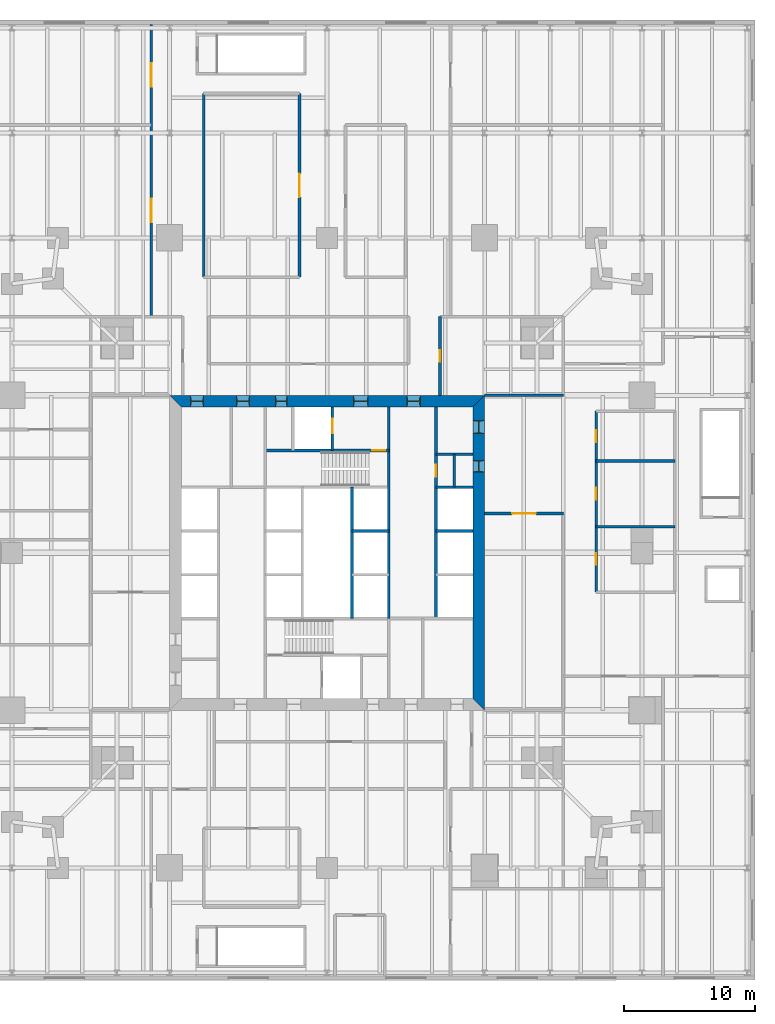
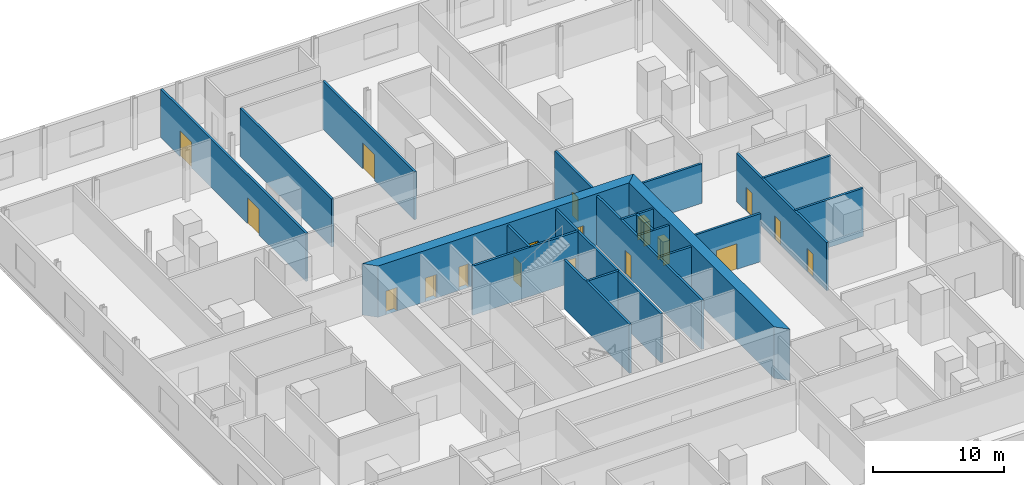
# One storey, part 12 of 15: 21 walls, 18 doors, 18 openings.
"""IFC4 building model written with IfcOpenShell, lengths in metres."""

from ifc_helpers import new_model, si_unit, direction, frame, frame_2d, origin, place, context, subcontext, project, spatial, polyline, rectangle, outline, extrude, material, layer, layer_set, type_object, element, fill, save


model = new_model("IFC4")

# Units and contexts
model_context = context("Model", 3, precision=1e-05, world=origin(), true_north=direction((0.0, 1.0)))
body_context = subcontext(model_context, "Body", "Model", "MODEL_VIEW")
ifc_project = project(units=[si_unit("LENGTHUNIT", "METRE"), si_unit("AREAUNIT", "SQUARE_METRE"), si_unit("VOLUMEUNIT", "CUBIC_METRE"), si_unit("PLANEANGLEUNIT", "RADIAN"), si_unit("MASSUNIT", "GRAM", prefix="KILO")], contexts=[model_context])

# Site, building, storey
site_placement = place(None, origin())
site = spatial("IfcSite", under=ifc_project, at=site_placement, CompositionType="ELEMENT")
building_placement = place(site_placement, origin())
building = spatial("IfcBuilding", under=site, at=building_placement, Name="Fenwick Lantern Interchange", CompositionType="ELEMENT")
storey_placement = place(building_placement, frame((0.0, 0.0, 26.199951171875)))
storey = spatial("IfcBuildingStorey", under=building, at=storey_placement, Name="L05", CompositionType="ELEMENT", Elevation=26.199951171875)

# Wall, opening, door
ifc_material_1 = material(Name="Concrete masonry ASTM C90 Grade N", Category="masonry")
ifc_layer_1 = layer(ifc_material_1, 0.199951171875)
ifc_layer_set_1 = layer_set([ifc_layer_1], Name="Concrete masonry ASTM C90 Grade N")
wall_type_1 = type_object("IfcWallType", Name="CORE PARTITION 200", PredefinedType="PARTITIONING", material=ifc_layer_set_1)
wall_1_placement = place(storey_placement, frame((33.300048828125, 36.10009765625, 0.0), z_axis=(0.0, 0.0, 1.0), x_axis=(0.0, -1.0, 0.0)))
wall_1 = element("IfcWall", 1, at=wall_1_placement, inside=storey, type_object=wall_type_1, Name="L05/W/COREN/a", PredefinedType="PARTITIONING", context=body_context, shape_type="SweptSolid", body=[
    extrude(rectangle(XDim=16.10009765625, YDim=0.199951171875, at=frame_2d((8.050048828125, 0.0))), origin(), (0.0, 0.0, 1.0), 4.60009765625),
])
opening_1_placement = place(wall_1_placement, frame((4.39990234375, 0.0, 0.0)))
opening_1 = element("IfcOpeningElement", 2, at=opening_1_placement, cuts=wall_1, Name="Opening L05-D016", PredefinedType="OPENING", context=body_context, shape_type="SweptSolid", body=[
    extrude(rectangle(XDim=0.89990234375, YDim=2.199951171875, at=frame_2d((0.449951171875, 1.10009765625))), frame((0.0, 0.10986328125, 0.0), z_axis=(0.0, -1.0, 0.0), x_axis=(1.0, 0.0, 0.0)), (0.0, 0.0, 1.0), 0.219970703125),
])
ifc_material_2 = material(Name="Steel door and frame", Category="steel")
door_type_1 = type_object("IfcDoorType", Name="SERVICE DOOR 900 X 2200", OperationType="SINGLE_SWING_LEFT", PredefinedType="DOOR", material=ifc_material_2)
door_1_placement = place(opening_1_placement, origin())
door_1 = element("IfcDoor", 3, at=door_1_placement, inside=storey, type_object=door_type_1, Name="Service door", OperationType="SINGLE_SWING_LEFT", OverallHeight=2.199951171875, OverallWidth=0.89990234375, PredefinedType="DOOR", context=body_context, shape_type="SweptSolid", body=[
    extrude(rectangle(XDim=0.89990234375, YDim=2.199951171875, at=frame_2d((0.449951171875, 1.10009765625))), frame((0.0, 0.02490234375, 0.0), z_axis=(0.0, -1.0, 0.0), x_axis=(1.0, 0.0, 0.0)), (0.0, 0.0, 1.0), 0.050048828125),
])
fill(opening_1, door_1)

# Walls
for number, where, z_axis, x_axis, name in (
    (4, (36.10009765625, 30.0, 0.0), (0.0, 0.0, 1.0), (-1.0, 0.0, 0.0), "L05/W/COREN/c2"),
    (5, (36.10009765625, 26.666748046875, 0.0), (0.0, 0.0, 1.0), (-1.0, 0.0, 0.0), "L05/W/COREN/d1"),
    (6, (29.699951171875, 26.666748046875, 0.0), (0.0, 0.0, 1.0), (-1.0, 0.0, 0.0), "L05/W/COREN/e1"),
):
    element("IfcWall", number, at=place(storey_placement, frame(where, z_axis=z_axis, x_axis=x_axis)), inside=storey, type_object=wall_type_1, Name=name, PredefinedType="PARTITIONING", context=body_context, shape_type="SweptSolid", body=[
        extrude(rectangle(XDim=2.800048828125, YDim=0.199951171875, at=frame_2d((1.39990234375, 0.0))), origin(), (0.0, 0.0, 1.0), 4.60009765625),
    ])
wall_2_placement = place(storey_placement, frame((26.89990234375, 30.0, 0.0), z_axis=(0.0, 0.0, 1.0), x_axis=(0.0, -1.0, 0.0)))
element("IfcWall", 7, at=wall_2_placement, inside=storey, type_object=wall_type_1, Name="L05/W/COREN/e3", PredefinedType="PARTITIONING", context=body_context, shape_type="SweptSolid", body=[
    extrude(rectangle(XDim=10.0, YDim=0.199951171875, at=frame_2d((5.0, 0.0))), origin(), (0.0, 0.0, 1.0), 4.60009765625),
])

# Wall, opening, door
wall_3_placement = place(storey_placement, frame((25.39990234375, 36.10009765625, 0.0), z_axis=(0.0, 0.0, 1.0), x_axis=(0.0, -1.0, 0.0)))
wall_3 = element("IfcWall", 8, at=wall_3_placement, inside=storey, type_object=wall_type_1, Name="L05/W/COREN/h1", PredefinedType="PARTITIONING", context=body_context, shape_type="SweptSolid", body=[
    extrude(rectangle(XDim=3.300048828125, YDim=0.199951171875, at=frame_2d((1.64990234375, 0.0))), origin(), (0.0, 0.0, 1.0), 4.60009765625),
])
opening_2_placement = place(wall_3_placement, frame((0.89990234375, 0.0, 0.0)))
opening_2 = element("IfcOpeningElement", 9, at=opening_2_placement, cuts=wall_3, Name="Opening LD-FL2", PredefinedType="OPENING", context=body_context, shape_type="SweptSolid", body=[
    extrude(rectangle(XDim=1.10009765625, YDim=2.199951171875, at=frame_2d((0.550048828125, 1.10009765625))), frame((0.0, 0.10986328125, 0.0), z_axis=(0.0, -1.0, 0.0), x_axis=(1.0, 0.0, 0.0)), (0.0, 0.0, 1.0), 0.219970703125),
])
door_type_2 = type_object("IfcDoorType", Name="LIFT LANDING DOOR 1100 X 2200", OperationType="DOUBLE_DOOR_SLIDING", PredefinedType="DOOR", material=ifc_material_2)
door_2_placement = place(opening_2_placement, origin())
door_2 = element("IfcDoor", 10, at=door_2_placement, inside=storey, type_object=door_type_2, Name="Lift landing door FL2", OperationType="DOUBLE_DOOR_SLIDING", OverallHeight=2.199951171875, OverallWidth=1.10009765625, PredefinedType="DOOR", context=body_context, shape_type="SweptSolid", body=[
    extrude(rectangle(XDim=1.10009765625, YDim=2.199951171875, at=frame_2d((0.550048828125, 1.10009765625))), frame((0.0, 0.02490234375, 0.0), z_axis=(0.0, -1.0, 0.0), x_axis=(1.0, 0.0, 0.0)), (0.0, 0.0, 1.0), 0.050048828125),
])
fill(opening_2, door_2)

# Walls
wall_4_placement = place(storey_placement, frame((36.10009765625, 32.5, 0.0), z_axis=(0.0, 0.0, 1.0), x_axis=(-1.0, 0.0, 0.0)))
element("IfcWall", 11, at=wall_4_placement, inside=storey, type_object=wall_type_1, Name="L05/W/COREN/p1", PredefinedType="PARTITIONING", context=body_context, shape_type="SweptSolid", body=[
    extrude(rectangle(XDim=2.800048828125, YDim=0.199951171875, at=frame_2d((1.39990234375, 0.0))), origin(), (0.0, 0.0, 1.0), 4.60009765625),
])
wall_5_placement = place(storey_placement, frame((34.699951171875, 32.5, 0.0), z_axis=(0.0, 0.0, 1.0), x_axis=(0.0, -1.0, 0.0)))
element("IfcWall", 12, at=wall_5_placement, inside=storey, type_object=wall_type_1, Name="L05/W/COREN/px", PredefinedType="PARTITIONING", context=body_context, shape_type="SweptSolid", body=[
    extrude(rectangle(XDim=2.5, YDim=0.199951171875, at=frame_2d((1.25, 0.0))), origin(), (0.0, 0.0, 1.0), 4.60009765625),
])

# Wall, openings, doors
ifc_material_3 = material(Name="Concrete f'c 70 MPa", Category="concrete")
ifc_layer_2 = layer(ifc_material_3, 0.89990234375)
ifc_layer_set_2 = layer_set([ifc_layer_2], Name="CORE WALL 900")
wall_type_2 = type_object("IfcWallType", Name="CORE WALL 900", PredefinedType="SHEAR", material=ifc_layer_set_2)
wall_6_placement = place(storey_placement, frame((36.550048828125, 13.89990234375, 0.0), z_axis=(0.0, 0.0, 1.0), x_axis=(0.0, 1.0, 0.0)))
wall_6 = element("IfcWall", 13, at=wall_6_placement, inside=storey, type_object=wall_type_2, Name="L05/CORE/E", PredefinedType="SHEAR", context=body_context, shape_type="SweptSolid", body=[
    extrude(outline(polyline([(-0.89990234375, -0.449951171875), (23.10009765625, -0.449951171875), (22.199951171875, 0.449951171875), (0.0, 0.449951171875), (-0.89990234375, -0.449951171875)])), origin(), (0.0, 0.0, 1.0), 4.800048828125),
])
opening_3_placement = place(wall_6_placement, frame((20.199951171875, 0.0, 0.0)))
opening_3 = element("IfcOpeningElement", 14, at=opening_3_placement, cuts=wall_6, Name="Opening L05-D015", PredefinedType="OPENING", context=body_context, shape_type="SweptSolid", body=[
    extrude(rectangle(XDim=1.0, YDim=2.199951171875, at=frame_2d((0.5, 1.10009765625))), frame((0.0, 0.4599609375, 0.0), z_axis=(0.0, -1.0, 0.0), x_axis=(1.0, 0.0, 0.0)), (0.0, 0.0, 1.0), 0.919921875),
])
opening_4_placement = place(wall_6_placement, frame((17.25, 0.0, 0.0)))
opening_4 = element("IfcOpeningElement", 15, at=opening_4_placement, cuts=wall_6, Name="Opening L05-D017", PredefinedType="OPENING", context=body_context, shape_type="SweptSolid", body=[
    extrude(rectangle(XDim=0.89990234375, YDim=2.199951171875, at=frame_2d((0.449951171875, 1.10009765625))), frame((0.0, 0.4599609375, 0.0), z_axis=(0.0, -1.0, 0.0), x_axis=(1.0, 0.0, 0.0)), (0.0, 0.0, 1.0), 0.919921875),
])
door_3_placement = place(opening_4_placement, origin())
door_3 = element("IfcDoor", 16, at=door_3_placement, inside=storey, type_object=door_type_1, Name="Service door", OperationType="SINGLE_SWING_RIGHT", OverallHeight=2.199951171875, OverallWidth=0.89990234375, PredefinedType="DOOR", context=body_context, shape_type="SweptSolid", body=[
    extrude(rectangle(XDim=0.89990234375, YDim=2.199951171875, at=frame_2d((0.449951171875, 1.10009765625))), frame((0.0, 0.02490234375, 0.0), z_axis=(0.0, -1.0, 0.0), x_axis=(1.0, 0.0, 0.0)), (0.0, 0.0, 1.0), 0.050048828125),
    extrude(outline(polyline([(0.0, 0.0), (0.0400390625, 0.0), (0.0400390625, 2.159912109375), (0.85986328125, 2.159912109375), (0.85986328125, 0.0), (0.89990234375, 0.0), (0.89990234375, 2.199951171875), (0.0, 2.199951171875), (0.0, 0.0)])), frame((0.0, 0.300048828125, 0.0), z_axis=(0.0, -1.0, 0.0), x_axis=(1.0, 0.0, 0.0)), (0.0, 0.0, 1.0), 0.60009765625),
])
fill(opening_4, door_3)
ifc_material_4 = material(Name="Hardwood door and steel frame", Category="steel")
door_type_3 = type_object("IfcDoorType", Name="WC DOOR 1000 X 2200", OperationType="SINGLE_SWING_LEFT", PredefinedType="DOOR", material=ifc_material_4)
door_4_placement = place(opening_3_placement, origin())
door_4 = element("IfcDoor", 17, at=door_4_placement, inside=storey, type_object=door_type_3, Name="Wc door", OperationType="SINGLE_SWING_RIGHT", OverallHeight=2.199951171875, OverallWidth=1.0, PredefinedType="DOOR", context=body_context, shape_type="SweptSolid", body=[
    extrude(rectangle(XDim=1.0, YDim=2.199951171875, at=frame_2d((0.5, 1.10009765625))), frame((0.0, 0.02490234375, 0.0), z_axis=(0.0, -1.0, 0.0), x_axis=(1.0, 0.0, 0.0)), (0.0, 0.0, 1.0), 0.050048828125),
    extrude(outline(polyline([(0.0, 0.0), (0.0400390625, 0.0), (0.0400390625, 2.159912109375), (0.9599609375, 2.159912109375), (0.9599609375, 0.0), (1.0, 0.0), (1.0, 2.199951171875), (0.0, 2.199951171875), (0.0, 0.0)])), frame((0.0, 0.300048828125, 0.0), z_axis=(0.0, -1.0, 0.0), x_axis=(1.0, 0.0, 0.0)), (0.0, 0.0, 1.0), 0.60009765625),
])
fill(opening_3, door_4)

wall_7_placement = place(storey_placement, frame((37.0, 36.550048828125, 0.0), z_axis=(0.0, 0.0, 1.0), x_axis=(-1.0, 0.0, 0.0)))
wall_7 = element("IfcWall", 18, at=wall_7_placement, inside=storey, type_object=wall_type_2, Name="L05/CORE/N", PredefinedType="SHEAR", context=body_context, shape_type="SweptSolid", body=[
    extrude(outline(polyline([(0.0, -0.449951171875), (24.0, -0.449951171875), (23.10009765625, 0.449951171875), (0.89990234375, 0.449951171875), (0.0, -0.449951171875)])), origin(), (0.0, 0.0, 1.0), 4.800048828125),
])
opening_5_placement = place(wall_7_placement, frame((4.89990234375, 0.0, 0.0)))
opening_5 = element("IfcOpeningElement", 19, at=opening_5_placement, cuts=wall_7, Name="Opening L05-D009", PredefinedType="OPENING", context=body_context, shape_type="SweptSolid", body=[
    extrude(rectangle(XDim=1.0, YDim=2.199951171875, at=frame_2d((0.5, 1.10009765625))), frame((0.0, 0.4599609375, 0.0), z_axis=(0.0, -1.0, 0.0), x_axis=(1.0, 0.0, 0.0)), (0.0, 0.0, 1.0), 0.919921875),
])
opening_6_placement = place(wall_7_placement, frame((8.89990234375, 0.0, 0.0)))
opening_6 = element("IfcOpeningElement", 20, at=opening_6_placement, cuts=wall_7, Name="Opening L05-D010", PredefinedType="OPENING", context=body_context, shape_type="SweptSolid", body=[
    extrude(rectangle(XDim=1.10009765625, YDim=2.199951171875, at=frame_2d((0.550048828125, 1.10009765625))), frame((0.0, 0.4599609375, 0.0), z_axis=(0.0, -1.0, 0.0), x_axis=(1.0, 0.0, 0.0)), (0.0, 0.0, 1.0), 0.919921875),
])
opening_7_placement = place(wall_7_placement, frame((15.050048828125, 0.0, 0.0)))
opening_7 = element("IfcOpeningElement", 21, at=opening_7_placement, cuts=wall_7, Name="Opening L05-D012", PredefinedType="OPENING", context=body_context, shape_type="SweptSolid", body=[
    extrude(rectangle(XDim=0.89990234375, YDim=2.199951171875, at=frame_2d((0.449951171875, 1.10009765625))), frame((0.0, 0.4599609375, 0.0), z_axis=(0.0, -1.0, 0.0), x_axis=(1.0, 0.0, 0.0)), (0.0, 0.0, 1.0), 0.919921875),
])
opening_8_placement = place(wall_7_placement, frame((17.89990234375, 0.0, 0.0)))
opening_8 = element("IfcOpeningElement", 22, at=opening_8_placement, cuts=wall_7, Name="Opening L05-D013", PredefinedType="OPENING", context=body_context, shape_type="SweptSolid", body=[
    extrude(rectangle(XDim=1.0, YDim=2.199951171875, at=frame_2d((0.5, 1.10009765625))), frame((0.0, 0.4599609375, 0.0), z_axis=(0.0, -1.0, 0.0), x_axis=(1.0, 0.0, 0.0)), (0.0, 0.0, 1.0), 0.919921875),
])
opening_9_placement = place(wall_7_placement, frame((21.39990234375, 0.0, 0.0)))
opening_9 = element("IfcOpeningElement", 23, at=opening_9_placement, cuts=wall_7, Name="Opening L05-D014", PredefinedType="OPENING", context=body_context, shape_type="SweptSolid", body=[
    extrude(rectangle(XDim=1.0, YDim=2.199951171875, at=frame_2d((0.5, 1.10009765625))), frame((0.0, 0.4599609375, 0.0), z_axis=(0.0, -1.0, 0.0), x_axis=(1.0, 0.0, 0.0)), (0.0, 0.0, 1.0), 0.919921875),
])
door_type_4 = type_object("IfcDoorType", Name="CORE LOBBY DOOR 1000 X 2200", OperationType="SINGLE_SWING_LEFT", PredefinedType="DOOR", material=ifc_material_2)
door_5_placement = place(opening_5_placement, origin())
door_5 = element("IfcDoor", 24, at=door_5_placement, inside=storey, type_object=door_type_4, Name="Core lobby door", OperationType="SINGLE_SWING_LEFT", OverallHeight=2.199951171875, OverallWidth=1.0, PredefinedType="DOOR", context=body_context, shape_type="SweptSolid", body=[
    extrude(rectangle(XDim=1.0, YDim=2.199951171875, at=frame_2d((0.5, 1.10009765625))), frame((0.0, 0.02490234375, 0.0), z_axis=(0.0, -1.0, 0.0), x_axis=(1.0, 0.0, 0.0)), (0.0, 0.0, 1.0), 0.050048828125),
    extrude(outline(polyline([(0.0, 0.0), (0.0400390625, 0.0), (0.0400390625, 2.159912109375), (0.9599609375, 2.159912109375), (0.9599609375, 0.0), (1.0, 0.0), (1.0, 2.199951171875), (0.0, 2.199951171875), (0.0, 0.0)])), frame((0.0, 0.300048828125, 0.0), z_axis=(0.0, -1.0, 0.0), x_axis=(1.0, 0.0, 0.0)), (0.0, 0.0, 1.0), 0.60009765625),
])
fill(opening_5, door_5)
door_type_5 = type_object("IfcDoorType", Name="FIRE LOBBY DOOR 1100 X 2200", OperationType="SINGLE_SWING_LEFT", PredefinedType="DOOR", material=ifc_material_2)
door_6_placement = place(opening_6_placement, origin())
door_6 = element("IfcDoor", 25, at=door_6_placement, inside=storey, type_object=door_type_5, Name="Fire lobby door", OperationType="SINGLE_SWING_LEFT", OverallHeight=2.199951171875, OverallWidth=1.10009765625, PredefinedType="DOOR", context=body_context, shape_type="SweptSolid", body=[
    extrude(rectangle(XDim=1.10009765625, YDim=2.199951171875, at=frame_2d((0.550048828125, 1.10009765625))), frame((0.0, 0.02490234375, 0.0), z_axis=(0.0, -1.0, 0.0), x_axis=(1.0, 0.0, 0.0)), (0.0, 0.0, 1.0), 0.050048828125),
    extrude(outline(polyline([(0.0, 0.0), (0.0400390625, 0.0), (0.0400390625, 2.159912109375), (1.06005859375, 2.159912109375), (1.06005859375, 0.0), (1.10009765625, 0.0), (1.10009765625, 2.199951171875), (0.0, 2.199951171875), (0.0, 0.0)])), frame((0.0, 0.300048828125, 0.0), z_axis=(0.0, -1.0, 0.0), x_axis=(1.0, 0.0, 0.0)), (0.0, 0.0, 1.0), 0.60009765625),
])
fill(opening_6, door_6)
door_7_placement = place(opening_7_placement, origin())
door_7 = element("IfcDoor", 26, at=door_7_placement, inside=storey, type_object=door_type_1, Name="Service door", OperationType="SINGLE_SWING_LEFT", OverallHeight=2.199951171875, OverallWidth=0.89990234375, PredefinedType="DOOR", context=body_context, shape_type="SweptSolid", body=[
    extrude(rectangle(XDim=0.89990234375, YDim=2.199951171875, at=frame_2d((0.449951171875, 1.10009765625))), frame((0.0, 0.02490234375, 0.0), z_axis=(0.0, -1.0, 0.0), x_axis=(1.0, 0.0, 0.0)), (0.0, 0.0, 1.0), 0.050048828125),
    extrude(outline(polyline([(0.0, 0.0), (0.0400390625, 0.0), (0.0400390625, 2.159912109375), (0.85986328125, 2.159912109375), (0.85986328125, 0.0), (0.89990234375, 0.0), (0.89990234375, 2.199951171875), (0.0, 2.199951171875), (0.0, 0.0)])), frame((0.0, 0.300048828125, 0.0), z_axis=(0.0, -1.0, 0.0), x_axis=(1.0, 0.0, 0.0)), (0.0, 0.0, 1.0), 0.60009765625),
])
fill(opening_7, door_7)
door_8_placement = place(opening_8_placement, origin())
door_8 = element("IfcDoor", 27, at=door_8_placement, inside=storey, type_object=door_type_3, Name="Wc door", OperationType="SINGLE_SWING_RIGHT", OverallHeight=2.199951171875, OverallWidth=1.0, PredefinedType="DOOR", context=body_context, shape_type="SweptSolid", body=[
    extrude(rectangle(XDim=1.0, YDim=2.199951171875, at=frame_2d((0.5, 1.10009765625))), frame((0.0, 0.02490234375, 0.0), z_axis=(0.0, -1.0, 0.0), x_axis=(1.0, 0.0, 0.0)), (0.0, 0.0, 1.0), 0.050048828125),
    extrude(outline(polyline([(0.0, 0.0), (0.0400390625, 0.0), (0.0400390625, 2.159912109375), (0.9599609375, 2.159912109375), (0.9599609375, 0.0), (1.0, 0.0), (1.0, 2.199951171875), (0.0, 2.199951171875), (0.0, 0.0)])), frame((0.0, 0.300048828125, 0.0), z_axis=(0.0, -1.0, 0.0), x_axis=(1.0, 0.0, 0.0)), (0.0, 0.0, 1.0), 0.60009765625),
])
fill(opening_8, door_8)
door_9_placement = place(opening_9_placement, origin())
door_9 = element("IfcDoor", 28, at=door_9_placement, inside=storey, type_object=door_type_3, Name="Wc door", OperationType="SINGLE_SWING_RIGHT", OverallHeight=2.199951171875, OverallWidth=1.0, PredefinedType="DOOR", context=body_context, shape_type="SweptSolid", body=[
    extrude(rectangle(XDim=1.0, YDim=2.199951171875, at=frame_2d((0.5, 1.10009765625))), frame((0.0, 0.02490234375, 0.0), z_axis=(0.0, -1.0, 0.0), x_axis=(1.0, 0.0, 0.0)), (0.0, 0.0, 1.0), 0.050048828125),
    extrude(outline(polyline([(0.0, 0.0), (0.0400390625, 0.0), (0.0400390625, 2.159912109375), (0.9599609375, 2.159912109375), (0.9599609375, 0.0), (1.0, 0.0), (1.0, 2.199951171875), (0.0, 2.199951171875), (0.0, 0.0)])), frame((0.0, 0.300048828125, 0.0), z_axis=(0.0, -1.0, 0.0), x_axis=(1.0, 0.0, 0.0)), (0.0, 0.0, 1.0), 0.60009765625),
])
fill(opening_9, door_9)

ifc_material_5 = material(Name="Gypsum board on steel studs, 1 hour", Category="steel")
ifc_layer_3 = layer(ifc_material_5, 0.199951171875)
ifc_layer_set_3 = layer_set([ifc_layer_3], Name="ROOM WALL 200")
wall_type_3 = type_object("IfcWallType", Name="ROOM WALL 200", PredefinedType="PARTITIONING", material=ifc_layer_set_3)
wall_8_placement = place(storey_placement, frame((11.60009765625, 43.0, 0.0), z_axis=(0.0, 0.0, 1.0), x_axis=(0.0, 1.0, 0.0)))
wall_8 = element("IfcWall", 29, at=wall_8_placement, inside=storey, type_object=wall_type_3, Name="L05/W/POD/X11.6-2", PredefinedType="PARTITIONING", context=body_context, shape_type="SweptSolid", body=[
    extrude(rectangle(XDim=22.25, YDim=0.199951171875, at=frame_2d((11.125, 0.0))), origin(), (0.0, 0.0, 1.0), 4.5),
])
opening_10_placement = place(wall_8_placement, frame((7.175048828125, 0.0, 0.0)))
opening_10 = element("IfcOpeningElement", 30, at=opening_10_placement, cuts=wall_8, Name="Opening L05-D034", PredefinedType="OPENING", context=body_context, shape_type="SweptSolid", body=[
    extrude(rectangle(XDim=1.800048828125, YDim=2.39990234375, at=frame_2d((0.89990234375, 1.199951171875))), frame((0.0, 0.10986328125, 0.0), z_axis=(0.0, -1.0, 0.0), x_axis=(1.0, 0.0, 0.0)), (0.0, 0.0, 1.0), 0.219970703125),
])
opening_11_placement = place(wall_8_placement, frame((17.5, 0.0, 0.0)))
opening_11 = element("IfcOpeningElement", 31, at=opening_11_placement, cuts=wall_8, Name="Opening L05-D035", PredefinedType="OPENING", context=body_context, shape_type="SweptSolid", body=[
    extrude(rectangle(XDim=1.800048828125, YDim=2.39990234375, at=frame_2d((0.89990234375, 1.199951171875))), frame((0.0, 0.10986328125, 0.0), z_axis=(0.0, -1.0, 0.0), x_axis=(1.0, 0.0, 0.0)), (0.0, 0.0, 1.0), 0.219970703125),
])
door_type_6 = type_object("IfcDoorType", Name="ROOM DOOR PAIR 1800 X 2400", OperationType="DOUBLE_DOOR_SINGLE_SWING", PredefinedType="DOOR", material=ifc_material_2)
door_10_placement = place(opening_10_placement, frame((1.800048828125, 0.0, 0.0), z_axis=(0.0, 0.0, 1.0), x_axis=(-1.0, 0.0, 0.0)))
door_10 = element("IfcDoor", 32, at=door_10_placement, inside=storey, type_object=door_type_6, Name="Room door pair", OperationType="DOUBLE_DOOR_SINGLE_SWING", OverallHeight=2.39990234375, OverallWidth=1.800048828125, PredefinedType="DOOR", context=body_context, shape_type="SweptSolid", body=[
    extrude(rectangle(XDim=1.800048828125, YDim=2.39990234375, at=frame_2d((0.89990234375, 1.199951171875))), frame((0.0, 0.02490234375, 0.0), z_axis=(0.0, -1.0, 0.0), x_axis=(1.0, 0.0, 0.0)), (0.0, 0.0, 1.0), 0.050048828125),
])
fill(opening_10, door_10)
door_11_placement = place(opening_11_placement, frame((1.800048828125, 0.0, 0.0), z_axis=(0.0, 0.0, 1.0), x_axis=(-1.0, 0.0, 0.0)))
door_11 = element("IfcDoor", 33, at=door_11_placement, inside=storey, type_object=door_type_6, Name="Room door pair", OperationType="DOUBLE_DOOR_SINGLE_SWING", OverallHeight=2.39990234375, OverallWidth=1.800048828125, PredefinedType="DOOR", context=body_context, shape_type="SweptSolid", body=[
    extrude(rectangle(XDim=1.800048828125, YDim=2.39990234375, at=frame_2d((0.89990234375, 1.199951171875))), frame((0.0, 0.02490234375, 0.0), z_axis=(0.0, -1.0, 0.0), x_axis=(1.0, 0.0, 0.0)), (0.0, 0.0, 1.0), 0.050048828125),
])
fill(opening_11, door_11)

# Wall
wall_9_placement = place(storey_placement, frame((15.60009765625, 46.0, 0.0), z_axis=(0.0, 0.0, 1.0), x_axis=(0.0, 1.0, 0.0)))
element("IfcWall", 34, at=wall_9_placement, inside=storey, type_object=wall_type_3, Name="L05/W/POD/X15.6-2", PredefinedType="PARTITIONING", context=body_context, shape_type="SweptSolid", body=[
    extrude(rectangle(XDim=14.0, YDim=0.199951171875, at=frame_2d((7.0, 0.0))), origin(), (0.0, 0.0, 1.0), 4.5),
])

# Wall, opening, door
wall_10_placement = place(storey_placement, frame((22.89990234375, 46.0, 0.0), z_axis=(0.0, 0.0, 1.0), x_axis=(0.0, 1.0, 0.0)))
wall_10 = element("IfcWall", 35, at=wall_10_placement, inside=storey, type_object=wall_type_3, Name="L05/W/POD/X22.9-2", PredefinedType="PARTITIONING", context=body_context, shape_type="SweptSolid", body=[
    extrude(rectangle(XDim=14.0, YDim=0.199951171875, at=frame_2d((7.0, 0.0))), origin(), (0.0, 0.0, 1.0), 4.5),
])
opening_12_placement = place(wall_10_placement, frame((6.10009765625, 0.0, 0.0)))
opening_12 = element("IfcOpeningElement", 36, at=opening_12_placement, cuts=wall_10, Name="Opening L05-D043", PredefinedType="OPENING", context=body_context, shape_type="SweptSolid", body=[
    extrude(rectangle(XDim=1.800048828125, YDim=2.39990234375, at=frame_2d((0.89990234375, 1.199951171875))), frame((0.0, 0.10986328125, 0.0), z_axis=(0.0, -1.0, 0.0), x_axis=(1.0, 0.0, 0.0)), (0.0, 0.0, 1.0), 0.219970703125),
])
door_12_placement = place(opening_12_placement, frame((1.800048828125, 0.0, 0.0), z_axis=(0.0, 0.0, 1.0), x_axis=(-1.0, 0.0, 0.0)))
door_12 = element("IfcDoor", 37, at=door_12_placement, inside=storey, type_object=door_type_6, Name="Room door pair", OperationType="DOUBLE_DOOR_SINGLE_SWING", OverallHeight=2.39990234375, OverallWidth=1.800048828125, PredefinedType="DOOR", context=body_context, shape_type="SweptSolid", body=[
    extrude(rectangle(XDim=1.800048828125, YDim=2.39990234375, at=frame_2d((0.89990234375, 1.199951171875))), frame((0.0, 0.02490234375, 0.0), z_axis=(0.0, -1.0, 0.0), x_axis=(1.0, 0.0, 0.0)), (0.0, 0.0, 1.0), 0.050048828125),
])
fill(opening_12, door_12)

wall_11_placement = place(storey_placement, frame((33.60009765625, 37.0, 0.0), z_axis=(0.0, 0.0, 1.0), x_axis=(0.0, 1.0, 0.0)))
wall_11 = element("IfcWall", 38, at=wall_11_placement, inside=storey, type_object=wall_type_3, Name="L05/W/POD/X33.6-1", PredefinedType="PARTITIONING", context=body_context, shape_type="SweptSolid", body=[
    extrude(rectangle(XDim=6.0, YDim=0.199951171875, at=frame_2d((3.0, 0.0))), origin(), (0.0, 0.0, 1.0), 4.5),
])
opening_13_placement = place(wall_11_placement, frame((2.550048828125, 0.0, 0.0)))
opening_13 = element("IfcOpeningElement", 39, at=opening_13_placement, cuts=wall_11, Name="Opening L05-D039", PredefinedType="OPENING", context=body_context, shape_type="SweptSolid", body=[
    extrude(rectangle(XDim=0.89990234375, YDim=2.199951171875, at=frame_2d((0.449951171875, 1.10009765625))), frame((0.0, 0.10986328125, 0.0), z_axis=(0.0, -1.0, 0.0), x_axis=(1.0, 0.0, 0.0)), (0.0, 0.0, 1.0), 0.219970703125),
])
door_type_7 = type_object("IfcDoorType", Name="OFFICE DOOR 900 X 2200", OperationType="SINGLE_SWING_LEFT", PredefinedType="DOOR", material=ifc_material_4)
door_13_placement = place(opening_13_placement, frame((0.89990234375, 0.0, 0.0), z_axis=(0.0, 0.0, 1.0), x_axis=(-1.0, 0.0, 0.0)))
door_13 = element("IfcDoor", 40, at=door_13_placement, inside=storey, type_object=door_type_7, Name="Office door", OperationType="SINGLE_SWING_LEFT", OverallHeight=2.199951171875, OverallWidth=0.89990234375, PredefinedType="DOOR", context=body_context, shape_type="SweptSolid", body=[
    extrude(rectangle(XDim=0.89990234375, YDim=2.199951171875, at=frame_2d((0.449951171875, 1.10009765625))), frame((0.0, 0.02490234375, 0.0), z_axis=(0.0, -1.0, 0.0), x_axis=(1.0, 0.0, 0.0)), (0.0, 0.0, 1.0), 0.050048828125),
])
fill(opening_13, door_13)

# Wall, openings, doors
wall_12_placement = place(storey_placement, frame((45.5, 22.0, 0.0), z_axis=(0.0, 0.0, 1.0), x_axis=(0.0, 1.0, 0.0)))
wall_12 = element("IfcWall", 41, at=wall_12_placement, inside=storey, type_object=wall_type_3, Name="L05/W/POD/X45.5-1", PredefinedType="PARTITIONING", context=body_context, shape_type="SweptSolid", body=[
    extrude(rectangle(XDim=13.800048828125, YDim=0.199951171875, at=frame_2d((6.89990234375, 0.0))), origin(), (0.0, 0.0, 1.0), 4.5),
])
opening_14_placement = place(wall_12_placement, frame((2.074951171875, 0.0, 0.0)))
opening_14 = element("IfcOpeningElement", 42, at=opening_14_placement, cuts=wall_12, Name="Opening L05-D045", PredefinedType="OPENING", context=body_context, shape_type="SweptSolid", body=[
    extrude(rectangle(XDim=0.89990234375, YDim=2.199951171875, at=frame_2d((0.449951171875, 1.10009765625))), frame((0.0, 0.10986328125, 0.0), z_axis=(0.0, -1.0, 0.0), x_axis=(1.0, 0.0, 0.0)), (0.0, 0.0, 1.0), 0.219970703125),
])
opening_15_placement = place(wall_12_placement, frame((7.050048828125, 0.0, 0.0)))
opening_15 = element("IfcOpeningElement", 43, at=opening_15_placement, cuts=wall_12, Name="Opening L05-D046", PredefinedType="OPENING", context=body_context, shape_type="SweptSolid", body=[
    extrude(rectangle(XDim=0.89990234375, YDim=2.199951171875, at=frame_2d((0.449951171875, 1.10009765625))), frame((0.0, 0.10986328125, 0.0), z_axis=(0.0, -1.0, 0.0), x_axis=(1.0, 0.0, 0.0)), (0.0, 0.0, 1.0), 0.219970703125),
])
opening_16_placement = place(wall_12_placement, frame((11.425048828125, 0.0, 0.0)))
opening_16 = element("IfcOpeningElement", 44, at=opening_16_placement, cuts=wall_12, Name="Opening L05-D051", PredefinedType="OPENING", context=body_context, shape_type="SweptSolid", body=[
    extrude(rectangle(XDim=0.89990234375, YDim=2.199951171875, at=frame_2d((0.449951171875, 1.10009765625))), frame((0.0, 0.10986328125, 0.0), z_axis=(0.0, -1.0, 0.0), x_axis=(1.0, 0.0, 0.0)), (0.0, 0.0, 1.0), 0.219970703125),
])
door_14_placement = place(opening_14_placement, frame((0.89990234375, 0.0, 0.0), z_axis=(0.0, 0.0, 1.0), x_axis=(-1.0, 0.0, 0.0)))
door_14 = element("IfcDoor", 45, at=door_14_placement, inside=storey, type_object=door_type_7, Name="Office door", OperationType="SINGLE_SWING_LEFT", OverallHeight=2.199951171875, OverallWidth=0.89990234375, PredefinedType="DOOR", context=body_context, shape_type="SweptSolid", body=[
    extrude(rectangle(XDim=0.89990234375, YDim=2.199951171875, at=frame_2d((0.449951171875, 1.10009765625))), frame((0.0, 0.02490234375, 0.0), z_axis=(0.0, -1.0, 0.0), x_axis=(1.0, 0.0, 0.0)), (0.0, 0.0, 1.0), 0.050048828125),
])
fill(opening_14, door_14)
door_15_placement = place(opening_15_placement, frame((0.89990234375, 0.0, 0.0), z_axis=(0.0, 0.0, 1.0), x_axis=(-1.0, 0.0, 0.0)))
door_15 = element("IfcDoor", 46, at=door_15_placement, inside=storey, type_object=door_type_7, Name="Office door", OperationType="SINGLE_SWING_RIGHT", OverallHeight=2.199951171875, OverallWidth=0.89990234375, PredefinedType="DOOR", context=body_context, shape_type="SweptSolid", body=[
    extrude(rectangle(XDim=0.89990234375, YDim=2.199951171875, at=frame_2d((0.449951171875, 1.10009765625))), frame((0.0, 0.02490234375, 0.0), z_axis=(0.0, -1.0, 0.0), x_axis=(1.0, 0.0, 0.0)), (0.0, 0.0, 1.0), 0.050048828125),
])
fill(opening_15, door_15)
door_16_placement = place(opening_16_placement, frame((0.89990234375, 0.0, 0.0), z_axis=(0.0, 0.0, 1.0), x_axis=(-1.0, 0.0, 0.0)))
door_16 = element("IfcDoor", 47, at=door_16_placement, inside=storey, type_object=door_type_7, Name="Office door", OperationType="SINGLE_SWING_RIGHT", OverallHeight=2.199951171875, OverallWidth=0.89990234375, PredefinedType="DOOR", context=body_context, shape_type="SweptSolid", body=[
    extrude(rectangle(XDim=0.89990234375, YDim=2.199951171875, at=frame_2d((0.449951171875, 1.10009765625))), frame((0.0, 0.02490234375, 0.0), z_axis=(0.0, -1.0, 0.0), x_axis=(1.0, 0.0, 0.0)), (0.0, 0.0, 1.0), 0.050048828125),
])
fill(opening_16, door_16)

# Wall
wall_13_placement = place(storey_placement, frame((45.5, 27.0, 0.0), z_axis=(0.0, 0.0, 1.0), x_axis=(1.0, 0.0, 0.0)))
element("IfcWall", 48, at=wall_13_placement, inside=storey, type_object=wall_type_3, Name="L05/W/POD/Y27-1", PredefinedType="PARTITIONING", context=body_context, shape_type="SweptSolid", body=[
    extrude(rectangle(XDim=6.0, YDim=0.199951171875, at=frame_2d((3.0, 0.0))), origin(), (0.0, 0.0, 1.0), 4.5),
])

# Wall, opening, door
wall_14_placement = place(storey_placement, frame((37.0, 28.0, 0.0), z_axis=(0.0, 0.0, 1.0), x_axis=(1.0, 0.0, 0.0)))
wall_14 = element("IfcWall", 49, at=wall_14_placement, inside=storey, type_object=wall_type_3, Name="L05/W/POD/Y28-1", PredefinedType="PARTITIONING", context=body_context, shape_type="SweptSolid", body=[
    extrude(rectangle(XDim=6.0, YDim=0.199951171875, at=frame_2d((3.0, 0.0))), origin(), (0.0, 0.0, 1.0), 4.5),
])
opening_17_placement = place(wall_14_placement, frame((2.099853515625, 0.0, 0.0)))
opening_17 = element("IfcOpeningElement", 50, at=opening_17_placement, cuts=wall_14, Name="Opening L05-D037", PredefinedType="OPENING", context=body_context, shape_type="SweptSolid", body=[
    extrude(rectangle(XDim=1.800048828125, YDim=2.39990234375, at=frame_2d((0.89990234375, 1.199951171875))), frame((0.0, 0.10986328125, 0.0), z_axis=(0.0, -1.0, 0.0), x_axis=(1.0, 0.0, 0.0)), (0.0, 0.0, 1.0), 0.219970703125),
])
door_17_placement = place(opening_17_placement, origin())
door_17 = element("IfcDoor", 51, at=door_17_placement, inside=storey, type_object=door_type_6, Name="Room door pair", OperationType="DOUBLE_DOOR_SINGLE_SWING", OverallHeight=2.39990234375, OverallWidth=1.800048828125, PredefinedType="DOOR", context=body_context, shape_type="SweptSolid", body=[
    extrude(rectangle(XDim=1.800048828125, YDim=2.39990234375, at=frame_2d((0.89990234375, 1.199951171875))), frame((0.0, 0.02490234375, 0.0), z_axis=(0.0, -1.0, 0.0), x_axis=(1.0, 0.0, 0.0)), (0.0, 0.0, 1.0), 0.050048828125),
])
fill(opening_17, door_17)

# Walls
wall_15_placement = place(storey_placement, frame((45.5, 32.0, 0.0), z_axis=(0.0, 0.0, 1.0), x_axis=(1.0, 0.0, 0.0)))
element("IfcWall", 52, at=wall_15_placement, inside=storey, type_object=wall_type_3, Name="L05/W/POD/Y32-1", PredefinedType="PARTITIONING", context=body_context, shape_type="SweptSolid", body=[
    extrude(rectangle(XDim=6.0, YDim=0.199951171875, at=frame_2d((3.0, 0.0))), origin(), (0.0, 0.0, 1.0), 4.5),
])
wall_16_placement = place(storey_placement, frame((37.0, 37.0, 0.0), z_axis=(0.0, 0.0, 1.0), x_axis=(1.0, 0.0, 0.0)))
element("IfcWall", 53, at=wall_16_placement, inside=storey, type_object=wall_type_3, Name="L05/W/POD/Y37-2", PredefinedType="PARTITIONING", context=body_context, shape_type="SweptSolid", body=[
    extrude(rectangle(XDim=6.0, YDim=0.199951171875, at=frame_2d((3.0, 0.0))), origin(), (0.0, 0.0, 1.0), 3.70263671875),
])
ifc_material_6 = material(Name="Concrete f'c 45 MPa", Category="concrete")
ifc_layer_4 = layer(ifc_material_6, 0.199951171875)
ifc_layer_set_4 = layer_set([ifc_layer_4], Name="STAIR CORE WALL 200")
wall_type_4 = type_object("IfcWallType", Name="STAIR CORE WALL 200", PredefinedType="SOLIDWALL", material=ifc_layer_set_4)
wall_17_placement = place(storey_placement, frame((29.699951171875, 36.10009765625, 0.0), z_axis=(0.0, 0.0, 1.0), x_axis=(0.0, -1.0, 0.0)))
element("IfcWall", 54, at=wall_17_placement, inside=storey, type_object=wall_type_4, Name="L05/W/COREN/b", PredefinedType="SOLIDWALL", context=body_context, shape_type="SweptSolid", body=[
    extrude(rectangle(XDim=16.10009765625, YDim=0.199951171875, at=frame_2d((8.050048828125, 0.0))), origin(), (0.0, 0.0, 1.0), 4.60009765625),
])

# Wall, opening, door
wall_18_placement = place(storey_placement, frame((29.699951171875, 32.800048828125, 0.0), z_axis=(0.0, 0.0, 1.0), x_axis=(-1.0, 0.0, 0.0)))
wall_18 = element("IfcWall", 55, at=wall_18_placement, inside=storey, type_object=wall_type_4, Name="L05/W/COREN/g1", PredefinedType="SOLIDWALL", context=body_context, shape_type="SweptSolid", body=[
    extrude(rectangle(XDim=9.39990234375, YDim=0.199951171875, at=frame_2d((4.699951171875, 0.0))), origin(), (0.0, 0.0, 1.0), 4.60009765625),
])
opening_18_placement = place(wall_18_placement, frame((0.25, 0.0, 0.0)))
opening_18 = element("IfcOpeningElement", 56, at=opening_18_placement, cuts=wall_18, Name="Opening L05-D011", PredefinedType="OPENING", context=body_context, shape_type="SweptSolid", body=[
    extrude(rectangle(XDim=1.0, YDim=2.199951171875, at=frame_2d((0.5, 1.10009765625))), frame((0.0, 0.10986328125, 0.0), z_axis=(0.0, -1.0, 0.0), x_axis=(1.0, 0.0, 0.0)), (0.0, 0.0, 1.0), 0.219970703125),
])
door_type_8 = type_object("IfcDoorType", Name="STAIR DOOR 1000 X 2200", OperationType="SINGLE_SWING_LEFT", PredefinedType="DOOR", material=ifc_material_2)
door_18_placement = place(opening_18_placement, origin())
door_18 = element("IfcDoor", 57, at=door_18_placement, inside=storey, type_object=door_type_8, Name="Stair door", OperationType="SINGLE_SWING_LEFT", OverallHeight=2.199951171875, OverallWidth=1.0, PredefinedType="DOOR", context=body_context, shape_type="SweptSolid", body=[
    extrude(rectangle(XDim=1.0, YDim=2.199951171875, at=frame_2d((0.5, 1.10009765625))), frame((0.0, 0.02490234375, 0.0), z_axis=(0.0, -1.0, 0.0), x_axis=(1.0, 0.0, 0.0)), (0.0, 0.0, 1.0), 0.050048828125),
])
fill(opening_18, door_18)

save(model, "model.ifc")
